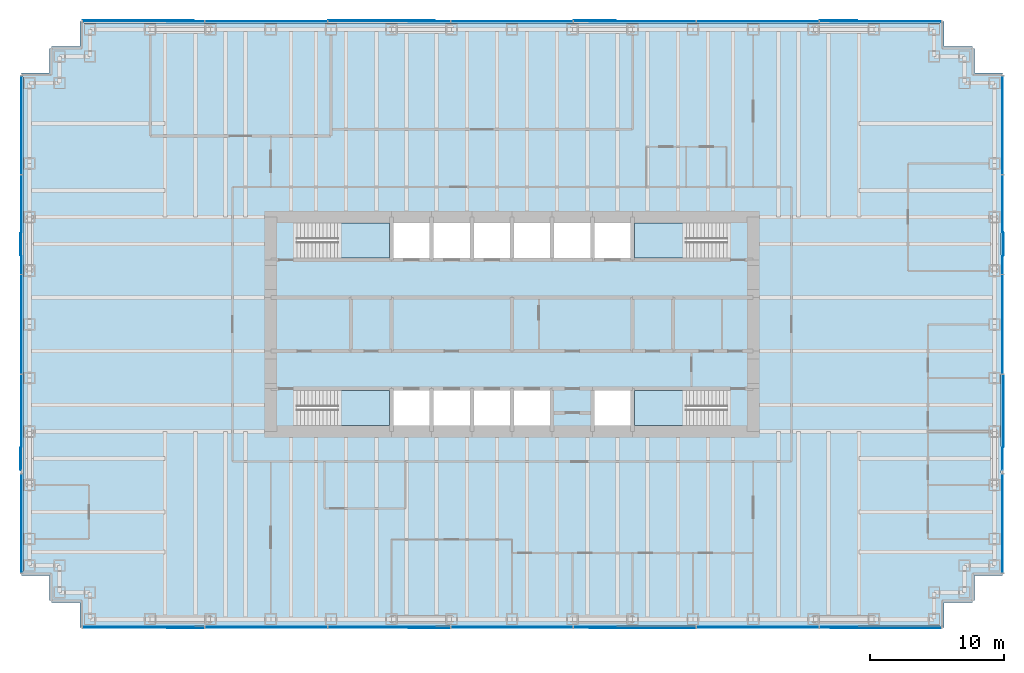
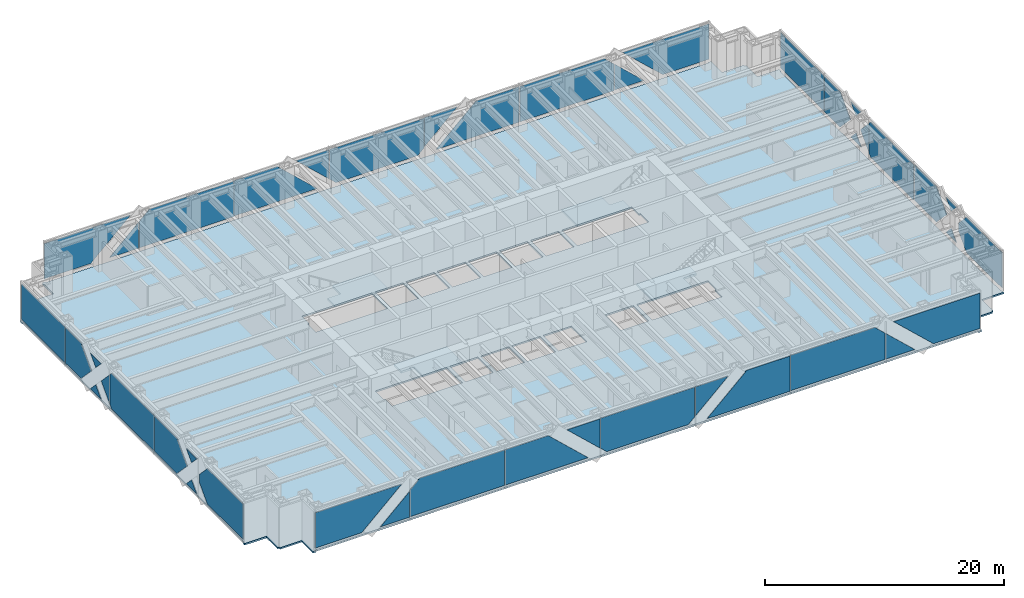
# One storey, part 10 of 17: 42 plates, 5 slabs, 8 elements without a shape of their own.
"""IFC4 building model written with IfcOpenShell, lengths in metres."""

from ifc_helpers import new_model, si_unit, direction, frame, origin, origin_2d, place, context, subcontext, project, spatial, polyline, rectangle, outline, extrude, material, layer, layer_set, type_object, element, aggregate, save


model = new_model("IFC4")

# Units and contexts
model_context = context("Model", 3, precision=1e-05, world=origin(), true_north=direction((0.0, 1.0)))
body_context = subcontext(model_context, "Body", "Model", "MODEL_VIEW")
ifc_project = project(units=[si_unit("LENGTHUNIT", "METRE"), si_unit("AREAUNIT", "SQUARE_METRE"), si_unit("VOLUMEUNIT", "CUBIC_METRE"), si_unit("PLANEANGLEUNIT", "RADIAN"), si_unit("MASSUNIT", "GRAM", prefix="KILO")], contexts=[model_context])

# Site, building, storey
site_placement = place(None, origin())
site = spatial("IfcSite", under=ifc_project, at=site_placement, CompositionType="ELEMENT")
building_placement = place(site_placement, origin())
building = spatial("IfcBuilding", under=site, at=building_placement, Name="Rheinbord Bourse Tower", CompositionType="ELEMENT")
storey_placement = place(building_placement, frame((0.0, 0.0, 129.89990234375)))
storey = spatial("IfcBuildingStorey", under=building, at=storey_placement, Name="L28", CompositionType="ELEMENT", Elevation=129.89990234375)

# Slab
ifc_material_1 = material(Name="Concrete C30/37", Category="concrete")
ifc_layer_1 = layer(ifc_material_1, 0.159912109375)
ifc_layer_set_1 = layer_set([ifc_layer_1], Name="COMPOSITE FLOOR SLAB 160")
slab_type_1 = type_object("IfcSlabType", Name="COMPOSITE FLOOR SLAB 160", PredefinedType="FLOOR", material=ifc_layer_set_1)
slab_1_placement = place(storey_placement, frame((0.0, 0.0, -0.159912109375)))
element("IfcSlab", 1, at=slab_1_placement, inside=storey, type_object=slab_type_1, Name="Floor slab L28", PredefinedType="FLOOR", context=body_context, shape_type="SweptSolid", body=[
    extrude(outline(polyline([(1.64990234375, 3.39990234375), (1.5, 3.39990234375), (1.5, 5.25), (-0.60009765625, 5.25), (-0.60009765625, 5.550048828125), (-0.5, 5.550048828125), (-0.5, 42.449951171875), (-0.60009765625, 42.449951171875), (-0.60009765625, 42.75), (1.5, 42.75), (1.5, 44.60009765625), (1.64990234375, 44.60009765625), (1.64990234375, 44.75), (3.75, 44.75), (3.75, 46.60009765625), (4.050048828125, 46.60009765625), (4.050048828125, 46.5), (67.949951171875, 46.5), (67.949951171875, 46.60009765625), (68.25, 46.60009765625), (68.25, 44.75), (70.35009765625, 44.75), (70.35009765625, 44.60009765625), (70.5, 44.60009765625), (70.5, 42.75), (72.60009765625, 42.75), (72.60009765625, 42.449951171875), (72.5, 42.449951171875), (72.5, 5.550048828125), (72.60009765625, 5.550048828125), (72.60009765625, 5.25), (70.5, 5.25), (70.5, 3.39990234375), (70.35009765625, 3.39990234375), (70.35009765625, 3.25), (68.25, 3.25), (68.25, 1.39990234375), (67.949951171875, 1.39990234375), (67.949951171875, 1.5), (4.050048828125, 1.5), (4.050048828125, 1.39990234375), (3.75, 1.39990234375), (3.75, 3.25), (1.64990234375, 3.25), (1.64990234375, 3.39990234375)]), holes=[polyline([(19.949951171875, 19.050048828125), (26.85009765625, 19.050048828125), (26.85009765625, 16.449951171875), (20.10009765625, 16.449951171875), (20.10009765625, 17.64990234375), (19.949951171875, 17.64990234375), (19.949951171875, 19.050048828125)]), polyline([(26.85009765625, 31.550048828125), (26.85009765625, 28.949951171875), (19.949951171875, 28.949951171875), (19.949951171875, 30.35009765625), (20.10009765625, 30.35009765625), (20.10009765625, 31.550048828125), (26.85009765625, 31.550048828125)]), polyline([(45.14990234375, 16.449951171875), (45.14990234375, 19.050048828125), (52.050048828125, 19.050048828125), (52.050048828125, 17.64990234375), (51.89990234375, 17.64990234375), (51.89990234375, 16.449951171875), (45.14990234375, 16.449951171875)]), polyline([(52.050048828125, 28.949951171875), (45.14990234375, 28.949951171875), (45.14990234375, 31.550048828125), (51.89990234375, 31.550048828125), (51.89990234375, 30.35009765625), (52.050048828125, 30.35009765625), (52.050048828125, 28.949951171875)]), polyline([(27.14990234375, 16.449951171875), (27.14990234375, 19.050048828125), (29.85009765625, 19.050048828125), (29.85009765625, 16.449951171875), (27.14990234375, 16.449951171875)]), polyline([(27.14990234375, 28.949951171875), (27.14990234375, 31.550048828125), (29.85009765625, 31.550048828125), (29.85009765625, 28.949951171875), (27.14990234375, 28.949951171875)]), polyline([(30.14990234375, 16.449951171875), (30.14990234375, 19.050048828125), (32.85009765625, 19.050048828125), (32.85009765625, 16.449951171875), (30.14990234375, 16.449951171875)]), polyline([(30.14990234375, 28.949951171875), (30.14990234375, 31.550048828125), (32.85009765625, 31.550048828125), (32.85009765625, 28.949951171875), (30.14990234375, 28.949951171875)]), polyline([(33.14990234375, 16.449951171875), (33.14990234375, 19.050048828125), (35.85009765625, 19.050048828125), (35.85009765625, 16.449951171875), (33.14990234375, 16.449951171875)]), polyline([(33.14990234375, 28.949951171875), (33.14990234375, 31.550048828125), (35.85009765625, 31.550048828125), (35.85009765625, 28.949951171875), (33.14990234375, 28.949951171875)]), polyline([(36.14990234375, 16.449951171875), (36.14990234375, 19.050048828125), (38.85009765625, 19.050048828125), (38.85009765625, 16.449951171875), (36.14990234375, 16.449951171875)]), polyline([(36.14990234375, 28.949951171875), (36.14990234375, 31.550048828125), (38.85009765625, 31.550048828125), (38.85009765625, 28.949951171875), (36.14990234375, 28.949951171875)]), polyline([(39.14990234375, 28.949951171875), (39.14990234375, 31.550048828125), (41.85009765625, 31.550048828125), (41.85009765625, 28.949951171875), (39.14990234375, 28.949951171875)]), polyline([(42.14990234375, 16.449951171875), (42.14990234375, 19.050048828125), (44.85009765625, 19.050048828125), (44.85009765625, 16.449951171875), (42.14990234375, 16.449951171875)]), polyline([(42.14990234375, 28.949951171875), (42.14990234375, 31.550048828125), (44.85009765625, 31.550048828125), (44.85009765625, 28.949951171875), (42.14990234375, 28.949951171875)])]), origin(), (0.0, 0.0, 1.0), 0.159912109375),
])

# Curtain wall, plates
ifc_material_2 = material(Name="Dark glass and black aluminium", Category="aluminium")
curtain_wall_type = type_object("IfcCurtainWallType", Name="CW2 DARK GLASS CURTAIN WALL", PredefinedType="USERDEFINED", material=ifc_material_2)
curtain_wall_1_placement = place(storey_placement, origin())
curtain_wall_1 = element("IfcCurtainWall", 2, at=curtain_wall_1_placement, inside=storey, type_object=curtain_wall_type, Name="Curtain wall CW2 S L28", ObjectType="UNITISED CURTAIN WALL", PredefinedType="USERDEFINED")
ifc_material_3 = material(Name="Dark tinted triple insulating glass", Category="glass")
ifc_layer_2 = layer(ifc_material_3, 0.050048828125)
ifc_layer_set_2 = layer_set([ifc_layer_2], Name="CW2 DARK GLASS PANEL")
plate_type = type_object("IfcPlateType", Name="CW2 DARK GLASS PANEL", PredefinedType="CURTAIN_PANEL", material=ifc_layer_set_2)
plate_1_placement = place(storey_placement, frame((3.969970703125, 1.375, 0.300048828125), z_axis=(0.0, 1.0, 0.0), x_axis=(0.0, 0.0, 1.0)))
plate_1 = element("IfcPlate", 3, at=plate_1_placement, type_object=plate_type, Name="CW2 glass facet 1", PredefinedType="CURTAIN_PANEL", context=body_context, shape_type="SweptSolid", body=[
    extrude(outline(polyline([(0.0, 0.0), (3.60009765625, 0.0), (3.60009765625, 8.322021484375), (0.0, 4.465087890625), (0.0, 0.0)])), origin(), (0.0, 0.0, 1.0), 0.050048828125),
])
plate_2_placement = place(storey_placement, frame((13.035888671875, 1.31982421875, 0.300048828125), z_axis=(0.0, 1.0, 0.0), x_axis=(-1.0, 0.0, 0.0)))
plate_2 = element("IfcPlate", 4, at=plate_2_placement, type_object=plate_type, Name="CW2 glass facet 2", PredefinedType="CURTAIN_PANEL", context=body_context, shape_type="SweptSolid", body=[
    extrude(outline(polyline([(0.0, 0.0), (2.827880859375, 0.0), (0.0, 2.64013671875), (0.0, 0.0)])), origin(), (0.0, 0.0, 1.0), 0.050048828125),
])
plate_3_placement = place(storey_placement, frame((22.2080078125, 1.375, 3.900146484375), z_axis=(0.0, 1.0, 0.0), x_axis=(0.0, 0.0, -1.0)))
plate_3 = element("IfcPlate", 5, at=plate_3_placement, type_object=plate_type, Name="CW2 glass facet 1", PredefinedType="CURTAIN_PANEL", context=body_context, shape_type="SweptSolid", body=[
    extrude(outline(polyline([(0.0, 0.0), (3.60009765625, 0.0), (3.60009765625, 9.10205078125), (0.89501953125, 9.10205078125), (0.0, 8.14306640625), (0.0, 0.0)])), origin(), (0.0, 0.0, 1.0), 0.050048828125),
])
plate_4_placement = place(storey_placement, frame((22.278076171875, 1.375, 0.300048828125), z_axis=(0.0, 1.0, 0.0), x_axis=(0.0, 0.0, 1.0)))
plate_4 = element("IfcPlate", 6, at=plate_4_placement, type_object=plate_type, Name="CW2 glass facet 1", PredefinedType="CURTAIN_PANEL", context=body_context, shape_type="SweptSolid", body=[
    extrude(outline(polyline([(0.0, 0.0), (3.60009765625, 0.0), (3.60009765625, 4.156982421875), (0.0, 8.013916015625), (0.0, 0.0)])), origin(), (0.0, 0.0, 1.0), 0.050048828125),
])
plate_5_placement = place(storey_placement, frame((31.37890625, 1.31982421875, 3.900146484375), z_axis=(0.0, 1.0, 0.0), x_axis=(0.0, 0.0, -1.0)))
plate_5 = element("IfcPlate", 7, at=plate_5_placement, type_object=plate_type, Name="CW2 glass facet 2", PredefinedType="CURTAIN_PANEL", context=body_context, shape_type="SweptSolid", body=[
    extrude(outline(polyline([(0.0, 0.0), (2.9599609375, 0.0), (0.0, 3.1708984375), (0.0, 0.0)])), origin(), (0.0, 0.0, 1.0), 0.050048828125),
])
plate_6_placement = place(storey_placement, frame((32.06494140625, 1.375, 0.300048828125), z_axis=(0.0, 1.0, 0.0), x_axis=(-0.731026361921, 0.0, 0.682349220104)))
plate_6 = element("IfcPlate", 8, at=plate_6_placement, type_object=plate_type, Name="CW2 glass facet 1", PredefinedType="CURTAIN_PANEL", context=body_context, shape_type="SweptSolid", body=[
    extrude(outline(polyline([(0.0, 0.0), (0.842529296875, 0.0), (2.90673828125, 2.21142578125), (-3.7470703125, 8.422119140625), (-5.811279296875, 6.210693359375), (-5.753173828125, 5.3701171875), (0.0, 0.0)])), origin(), (0.0, 0.0, 1.0), 0.050048828125),
])
plate_7_placement = place(storey_placement, frame((40.62109375, 1.375, 3.900146484375), z_axis=(0.0, 1.0, 0.0), x_axis=(1.0, 0.0, 0.0)))
plate_7 = element("IfcPlate", 9, at=plate_7_placement, type_object=plate_type, Name="CW2 glass facet 1", PredefinedType="CURTAIN_PANEL", context=body_context, shape_type="SweptSolid", body=[
    extrude(outline(polyline([(0.0, 0.0), (3.1708984375, 0.0), (0.0, 2.9599609375), (0.0, 0.0)])), origin(), (0.0, 0.0, 1.0), 0.050048828125),
])
plate_8_placement = place(storey_placement, frame((49.721923828125, 1.31982421875, 3.900146484375), z_axis=(0.0, 1.0, 0.0), x_axis=(0.0, 0.0, -1.0)))
plate_8 = element("IfcPlate", 10, at=plate_8_placement, type_object=plate_type, Name="CW2 glass facet 2", PredefinedType="CURTAIN_PANEL", context=body_context, shape_type="SweptSolid", body=[
    extrude(outline(polyline([(0.0, 0.0), (3.60009765625, 0.0), (3.60009765625, 8.013916015625), (0.0, 4.156982421875), (0.0, 0.0)])), origin(), (0.0, 0.0, 1.0), 0.050048828125),
])
plate_9_placement = place(storey_placement, frame((58.89404296875, 1.375, 0.300048828125), z_axis=(0.0, 1.0, 0.0), x_axis=(-1.0, 0.0, 0.0)))
plate_9 = element("IfcPlate", 11, at=plate_9_placement, type_object=plate_type, Name="CW2 glass facet 1", PredefinedType="CURTAIN_PANEL", context=body_context, shape_type="SweptSolid", body=[
    extrude(outline(polyline([(0.0, 0.0), (9.10205078125, 0.0), (9.10205078125, 3.60009765625), (0.958984375, 3.60009765625), (0.0, 2.705078125), (0.0, 0.0)])), origin(), (0.0, 0.0, 1.0), 0.050048828125),
])
plate_10_placement = place(storey_placement, frame((58.964111328125, 1.375, 0.300048828125), z_axis=(0.0, 1.0, 0.0), x_axis=(0.0, 0.0, 1.0)))
plate_10 = element("IfcPlate", 12, at=plate_10_placement, type_object=plate_type, Name="CW2 glass facet 1", PredefinedType="CURTAIN_PANEL", context=body_context, shape_type="SweptSolid", body=[
    extrude(outline(polyline([(0.0, 0.0), (2.64013671875, 0.0), (0.0, 2.827880859375), (0.0, 0.0)])), origin(), (0.0, 0.0, 1.0), 0.050048828125),
])
plate_11_placement = place(storey_placement, frame((68.030029296875, 1.31982421875, 3.900146484375), z_axis=(0.0, 1.0, 0.0), x_axis=(0.0, 0.0, -1.0)))
plate_11 = element("IfcPlate", 13, at=plate_11_placement, type_object=plate_type, Name="CW2 glass facet 2", PredefinedType="CURTAIN_PANEL", context=body_context, shape_type="SweptSolid", body=[
    extrude(outline(polyline([(0.0, 0.0), (3.60009765625, 0.0), (3.60009765625, 4.465087890625), (0.0, 8.322021484375), (0.0, 0.0)])), origin(), (0.0, 0.0, 1.0), 0.050048828125),
])
aggregate(curtain_wall_1, [plate_1, plate_2, plate_3, plate_4, plate_5, plate_6, plate_7, plate_8, plate_9, plate_10, plate_11])

curtain_wall_2_placement = place(storey_placement, origin())
curtain_wall_2 = element("IfcCurtainWall", 14, at=curtain_wall_2_placement, inside=storey, type_object=curtain_wall_type, Name="Curtain wall CW2 E L28", ObjectType="UNITISED CURTAIN WALL", PredefinedType="USERDEFINED")
plate_12_placement = place(storey_placement, frame((72.60009765625, 38.862548828125, 0.300048828125), z_axis=(0.0, 0.0, 1.0), x_axis=(0.0, 1.0, 0.0)))
plate_12 = element("IfcPlate", 15, at=plate_12_placement, type_object=plate_type, Name="CW2 panel 5.1", PredefinedType="CURTAIN_PANEL", context=body_context, shape_type="SweptSolid", body=[
    extrude(rectangle(XDim=7.3349609375, YDim=0.050048828125, at=origin_2d()), origin(), (0.0, 0.0, 1.0), 3.60009765625),
])
plate_13_placement = place(storey_placement, frame((72.625, 5.469970703125, 0.300048828125), z_axis=(-1.0, 0.0, 0.0), x_axis=(0.0, 0.0, 1.0)))
plate_13 = element("IfcPlate", 16, at=plate_13_placement, type_object=plate_type, Name="CW2 glass facet 1", PredefinedType="CURTAIN_PANEL", context=body_context, shape_type="SweptSolid", body=[
    extrude(outline(polyline([(0.0, 0.0), (3.60009765625, 0.0), (3.60009765625, 5.97998046875), (2.177001953125, 7.3349609375), (1.423095703125, 7.3349609375), (0.0, 5.97998046875), (0.0, 0.0)])), origin(), (0.0, 0.0, 1.0), 0.050048828125),
])
plate_14_placement = place(storey_placement, frame((72.625, 13.12109375, 0.300048828125), z_axis=(-1.0, 0.0, 0.0), x_axis=(0.0, 0.689559508121, 0.724229027835)))
plate_14 = element("IfcPlate", 17, at=plate_14_placement, type_object=plate_type, Name="CW2 glass facet 2", PredefinedType="CURTAIN_PANEL", context=body_context, shape_type="SweptSolid", body=[
    extrude(outline(polyline([(0.0, 0.0), (1.274658203125, 0.0), (1.212158203125, 1.27294921875), (0.0, 0.0)])), origin(), (0.0, 0.0, 1.0), 0.050048828125),
])
plate_15_placement = place(storey_placement, frame((72.625, 14.87890625, 3.900146484375), z_axis=(-1.0, 0.0, 0.0), x_axis=(0.0, -0.689559508121, -0.724229027835)))
plate_15 = element("IfcPlate", 18, at=plate_15_placement, type_object=plate_type, Name="CW2 glass facet 3", PredefinedType="CURTAIN_PANEL", context=body_context, shape_type="SweptSolid", body=[
    extrude(outline(polyline([(0.0, 0.0), (1.274658203125, 0.0), (1.212158203125, 1.27294921875), (0.0, 0.0)])), origin(), (0.0, 0.0, 1.0), 0.050048828125),
])
plate_16_placement = place(storey_placement, frame((72.68017578125, 20.2451171875, 3.900146484375), z_axis=(-1.0, 0.0, 0.0), x_axis=(0.0, 0.0, -1.0)))
plate_16 = element("IfcPlate", 19, at=plate_16_placement, type_object=plate_type, Name="CW2 glass facet 4", PredefinedType="CURTAIN_PANEL", context=body_context, shape_type="SweptSolid", body=[
    extrude(outline(polyline([(0.0, 0.0), (3.60009765625, 0.0), (3.60009765625, 3.695068359375), (1.800048828125, 5.41015625), (0.0, 3.695068359375), (0.0, 0.0)])), origin(), (0.0, 0.0, 1.0), 0.050048828125),
])
plate_17_placement = place(storey_placement, frame((72.625, 20.31494140625, 0.300048828125), z_axis=(-1.0, 0.0, 0.0), x_axis=(0.0, 0.0, 1.0)))
plate_17 = element("IfcPlate", 20, at=plate_17_placement, type_object=plate_type, Name="CW2 glass facet 1", PredefinedType="CURTAIN_PANEL", context=body_context, shape_type="SweptSolid", body=[
    extrude(outline(polyline([(0.0, 0.0), (3.60009765625, 0.0), (3.60009765625, 7.135009765625), (3.35302734375, 7.3701171875), (0.2470703125, 7.3701171875), (0.0, 7.135009765625), (0.0, 0.0)])), origin(), (0.0, 0.0, 1.0), 0.050048828125),
])
plate_18_placement = place(storey_placement, frame((72.625, 27.7548828125, 3.580078125), z_axis=(-1.0, 0.0, 0.0), x_axis=(0.0, 0.689822155923, -0.723978862397)))
plate_18 = element("IfcPlate", 21, at=plate_18_placement, type_object=plate_type, Name="CW2 glass facet 1", PredefinedType="CURTAIN_PANEL", context=body_context, shape_type="SweptSolid", body=[
    extrude(outline(polyline([(0.0, 0.0), (2.044189453125, 0.0), (2.14306640625, 2.041748046875), (0.0, 0.0)])), origin(), (0.0, 0.0, 1.0), 0.050048828125),
])
plate_19_placement = place(storey_placement, frame((72.68017578125, 29.12109375, 0.300048828125), z_axis=(-1.0, 0.0, 0.0), x_axis=(0.0, 0.689559508121, 0.724229027835)))
plate_19 = element("IfcPlate", 22, at=plate_19_placement, type_object=plate_type, Name="CW2 glass facet 2", PredefinedType="CURTAIN_PANEL", context=body_context, shape_type="SweptSolid", body=[
    extrude(outline(polyline([(0.0, 0.0), (1.274658203125, 0.0), (1.212158203125, 1.27294921875), (0.0, 0.0)])), origin(), (0.0, 0.0, 1.0), 0.050048828125),
])
plate_20_placement = place(storey_placement, frame((72.68017578125, 30.87890625, 3.900146484375), z_axis=(-1.0, 0.0, 0.0), x_axis=(0.0, -0.689559508121, -0.724229027835)))
plate_20 = element("IfcPlate", 23, at=plate_20_placement, type_object=plate_type, Name="CW2 glass facet 3", PredefinedType="CURTAIN_PANEL", context=body_context, shape_type="SweptSolid", body=[
    extrude(outline(polyline([(0.0, 0.0), (1.274658203125, 0.0), (1.212158203125, 1.27294921875), (0.0, 0.0)])), origin(), (0.0, 0.0, 1.0), 0.050048828125),
])
plate_21_placement = place(storey_placement, frame((72.625, 35.125, 3.900146484375), z_axis=(-1.0, 0.0, 0.0), x_axis=(0.0, 0.0, -1.0)))
plate_21 = element("IfcPlate", 24, at=plate_21_placement, type_object=plate_type, Name="CW2 glass facet 4", PredefinedType="CURTAIN_PANEL", context=body_context, shape_type="SweptSolid", body=[
    extrude(outline(polyline([(0.0, 0.0), (3.60009765625, 0.0), (3.60009765625, 2.574951171875), (1.800048828125, 4.2900390625), (0.0, 2.574951171875), (0.0, 0.0)])), origin(), (0.0, 0.0, 1.0), 0.050048828125),
])
aggregate(curtain_wall_2, [plate_12, plate_13, plate_14, plate_15, plate_16, plate_17, plate_18, plate_19, plate_20, plate_21])

curtain_wall_3_placement = place(storey_placement, origin())
curtain_wall_3 = element("IfcCurtainWall", 25, at=curtain_wall_3_placement, inside=storey, type_object=curtain_wall_type, Name="Curtain wall CW2 N L28", ObjectType="UNITISED CURTAIN WALL", PredefinedType="USERDEFINED")
plate_22_placement = place(storey_placement, frame((68.030029296875, 46.625, 0.300048828125), z_axis=(0.0, -1.0, 0.0), x_axis=(0.0, 0.0, 1.0)))
plate_22 = element("IfcPlate", 26, at=plate_22_placement, type_object=plate_type, Name="CW2 glass facet 1", PredefinedType="CURTAIN_PANEL", context=body_context, shape_type="SweptSolid", body=[
    extrude(outline(polyline([(0.0, 0.0), (3.60009765625, 0.0), (3.60009765625, 8.322021484375), (0.0, 4.465087890625), (0.0, 0.0)])), origin(), (0.0, 0.0, 1.0), 0.050048828125),
])
plate_23_placement = place(storey_placement, frame((58.964111328125, 46.68017578125, 0.300048828125), z_axis=(0.0, -1.0, 0.0), x_axis=(1.0, 0.0, 0.0)))
plate_23 = element("IfcPlate", 27, at=plate_23_placement, type_object=plate_type, Name="CW2 glass facet 2", PredefinedType="CURTAIN_PANEL", context=body_context, shape_type="SweptSolid", body=[
    extrude(outline(polyline([(0.0, 0.0), (2.827880859375, 0.0), (0.0, 2.64013671875), (0.0, 0.0)])), origin(), (0.0, 0.0, 1.0), 0.050048828125),
])
plate_24_placement = place(storey_placement, frame((49.7919921875, 46.625, 3.900146484375), z_axis=(0.0, -1.0, 0.0), x_axis=(0.0, 0.0, -1.0)))
plate_24 = element("IfcPlate", 28, at=plate_24_placement, type_object=plate_type, Name="CW2 glass facet 1", PredefinedType="CURTAIN_PANEL", context=body_context, shape_type="SweptSolid", body=[
    extrude(outline(polyline([(0.0, 0.0), (3.60009765625, 0.0), (3.60009765625, 9.10205078125), (0.89501953125, 9.10205078125), (0.0, 8.14306640625), (0.0, 0.0)])), origin(), (0.0, 0.0, 1.0), 0.050048828125),
])
plate_25_placement = place(storey_placement, frame((49.721923828125, 46.625, 0.300048828125), z_axis=(0.0, -1.0, 0.0), x_axis=(0.0, 0.0, 1.0)))
plate_25 = element("IfcPlate", 29, at=plate_25_placement, type_object=plate_type, Name="CW2 glass facet 1", PredefinedType="CURTAIN_PANEL", context=body_context, shape_type="SweptSolid", body=[
    extrude(outline(polyline([(0.0, 0.0), (3.60009765625, 0.0), (3.60009765625, 4.156982421875), (0.0, 8.013916015625), (0.0, 0.0)])), origin(), (0.0, 0.0, 1.0), 0.050048828125),
])
plate_26_placement = place(storey_placement, frame((40.62109375, 46.68017578125, 3.900146484375), z_axis=(0.0, -1.0, 0.0), x_axis=(0.0, 0.0, -1.0)))
plate_26 = element("IfcPlate", 30, at=plate_26_placement, type_object=plate_type, Name="CW2 glass facet 2", PredefinedType="CURTAIN_PANEL", context=body_context, shape_type="SweptSolid", body=[
    extrude(outline(polyline([(0.0, 0.0), (2.9599609375, 0.0), (0.0, 3.1708984375), (0.0, 0.0)])), origin(), (0.0, 0.0, 1.0), 0.050048828125),
])
plate_27_placement = place(storey_placement, frame((39.93505859375, 46.625, 0.300048828125), z_axis=(0.0, -1.0, 0.0), x_axis=(0.731026361921, 0.0, 0.682349220104)))
plate_27 = element("IfcPlate", 31, at=plate_27_placement, type_object=plate_type, Name="CW2 glass facet 1", PredefinedType="CURTAIN_PANEL", context=body_context, shape_type="SweptSolid", body=[
    extrude(outline(polyline([(0.0, 0.0), (0.842529296875, 0.0), (2.90673828125, 2.21142578125), (-3.7470703125, 8.422119140625), (-5.811279296875, 6.210693359375), (-5.753173828125, 5.3701171875), (0.0, 0.0)])), origin(), (0.0, 0.0, 1.0), 0.050048828125),
])
plate_28_placement = place(storey_placement, frame((31.37890625, 46.625, 3.900146484375), z_axis=(0.0, -1.0, 0.0), x_axis=(-1.0, 0.0, 0.0)))
plate_28 = element("IfcPlate", 32, at=plate_28_placement, type_object=plate_type, Name="CW2 glass facet 1", PredefinedType="CURTAIN_PANEL", context=body_context, shape_type="SweptSolid", body=[
    extrude(outline(polyline([(0.0, 0.0), (3.1708984375, 0.0), (0.0, 2.9599609375), (0.0, 0.0)])), origin(), (0.0, 0.0, 1.0), 0.050048828125),
])
plate_29_placement = place(storey_placement, frame((22.278076171875, 46.68017578125, 3.900146484375), z_axis=(0.0, -1.0, 0.0), x_axis=(0.0, 0.0, -1.0)))
plate_29 = element("IfcPlate", 33, at=plate_29_placement, type_object=plate_type, Name="CW2 glass facet 2", PredefinedType="CURTAIN_PANEL", context=body_context, shape_type="SweptSolid", body=[
    extrude(outline(polyline([(0.0, 0.0), (3.60009765625, 0.0), (3.60009765625, 8.013916015625), (0.0, 4.156982421875), (0.0, 0.0)])), origin(), (0.0, 0.0, 1.0), 0.050048828125),
])
plate_30_placement = place(storey_placement, frame((13.10595703125, 46.625, 0.300048828125), z_axis=(0.0, -1.0, 0.0), x_axis=(1.0, 0.0, 0.0)))
plate_30 = element("IfcPlate", 34, at=plate_30_placement, type_object=plate_type, Name="CW2 glass facet 1", PredefinedType="CURTAIN_PANEL", context=body_context, shape_type="SweptSolid", body=[
    extrude(outline(polyline([(0.0, 0.0), (9.10205078125, 0.0), (9.10205078125, 3.60009765625), (0.958984375, 3.60009765625), (0.0, 2.705078125), (0.0, 0.0)])), origin(), (0.0, 0.0, 1.0), 0.050048828125),
])
plate_31_placement = place(storey_placement, frame((13.035888671875, 46.625, 0.300048828125), z_axis=(0.0, -1.0, 0.0), x_axis=(0.0, 0.0, 1.0)))
plate_31 = element("IfcPlate", 35, at=plate_31_placement, type_object=plate_type, Name="CW2 glass facet 1", PredefinedType="CURTAIN_PANEL", context=body_context, shape_type="SweptSolid", body=[
    extrude(outline(polyline([(0.0, 0.0), (2.64013671875, 0.0), (0.0, 2.827880859375), (0.0, 0.0)])), origin(), (0.0, 0.0, 1.0), 0.050048828125),
])
plate_32_placement = place(storey_placement, frame((3.969970703125, 46.68017578125, 3.900146484375), z_axis=(0.0, -1.0, 0.0), x_axis=(0.0, 0.0, -1.0)))
plate_32 = element("IfcPlate", 36, at=plate_32_placement, type_object=plate_type, Name="CW2 glass facet 2", PredefinedType="CURTAIN_PANEL", context=body_context, shape_type="SweptSolid", body=[
    extrude(outline(polyline([(0.0, 0.0), (3.60009765625, 0.0), (3.60009765625, 4.465087890625), (0.0, 8.322021484375), (0.0, 0.0)])), origin(), (0.0, 0.0, 1.0), 0.050048828125),
])
aggregate(curtain_wall_3, [plate_22, plate_23, plate_24, plate_25, plate_26, plate_27, plate_28, plate_29, plate_30, plate_31, plate_32])

curtain_wall_4_placement = place(storey_placement, origin())
curtain_wall_4 = element("IfcCurtainWall", 37, at=curtain_wall_4_placement, inside=storey, type_object=curtain_wall_type, Name="Curtain wall CW2 W L28", ObjectType="UNITISED CURTAIN WALL", PredefinedType="USERDEFINED")
plate_33_placement = place(storey_placement, frame((-0.60009765625, 38.862548828125, 0.300048828125), z_axis=(0.0, 0.0, 1.0), x_axis=(0.0, -1.0, 0.0)))
plate_33 = element("IfcPlate", 38, at=plate_33_placement, type_object=plate_type, Name="CW2 panel 1.1", PredefinedType="CURTAIN_PANEL", context=body_context, shape_type="SweptSolid", body=[
    extrude(rectangle(XDim=7.3349609375, YDim=0.050048828125, at=origin_2d()), origin(), (0.0, 0.0, 1.0), 3.60009765625),
])
plate_34_placement = place(storey_placement, frame((-0.625, 35.125, 0.300048828125), z_axis=(1.0, 0.0, 0.0), x_axis=(0.0, 0.0, 1.0)))
plate_34 = element("IfcPlate", 39, at=plate_34_placement, type_object=plate_type, Name="CW2 glass facet 1", PredefinedType="CURTAIN_PANEL", context=body_context, shape_type="SweptSolid", body=[
    extrude(outline(polyline([(0.0, 0.0), (3.60009765625, 0.0), (3.60009765625, 2.574951171875), (1.800048828125, 4.2900390625), (0.0, 2.574951171875), (0.0, 0.0)])), origin(), (0.0, 0.0, 1.0), 0.050048828125),
])
plate_35_placement = place(storey_placement, frame((-0.68017578125, 30.87890625, 0.300048828125), z_axis=(1.0, 0.0, 0.0), x_axis=(0.0, -0.689559508121, 0.724229027835)))
plate_35 = element("IfcPlate", 40, at=plate_35_placement, type_object=plate_type, Name="CW2 glass facet 2", PredefinedType="CURTAIN_PANEL", context=body_context, shape_type="SweptSolid", body=[
    extrude(outline(polyline([(0.0, 0.0), (1.274658203125, 0.0), (1.212158203125, 1.27294921875), (0.0, 0.0)])), origin(), (0.0, 0.0, 1.0), 0.050048828125),
])
plate_36_placement = place(storey_placement, frame((-0.68017578125, 29.12109375, 3.900146484375), z_axis=(1.0, 0.0, 0.0), x_axis=(0.0, 0.689559508121, -0.724229027835)))
plate_36 = element("IfcPlate", 41, at=plate_36_placement, type_object=plate_type, Name="CW2 glass facet 3", PredefinedType="CURTAIN_PANEL", context=body_context, shape_type="SweptSolid", body=[
    extrude(outline(polyline([(0.0, 0.0), (1.274658203125, 0.0), (1.212158203125, 1.27294921875), (0.0, 0.0)])), origin(), (0.0, 0.0, 1.0), 0.050048828125),
])
plate_37_placement = place(storey_placement, frame((-0.625, 27.7548828125, 0.6201171875), z_axis=(1.0, 0.0, 0.0), x_axis=(0.0, 0.689822155923, 0.723978862397)))
plate_37 = element("IfcPlate", 42, at=plate_37_placement, type_object=plate_type, Name="CW2 glass facet 4", PredefinedType="CURTAIN_PANEL", context=body_context, shape_type="SweptSolid", body=[
    extrude(outline(polyline([(0.0, 0.0), (2.044189453125, 0.0), (2.14306640625, 2.041748046875), (0.0, 0.0)])), origin(), (0.0, 0.0, 1.0), 0.050048828125),
])
plate_38_placement = place(storey_placement, frame((-0.625, 20.31494140625, 3.900146484375), z_axis=(1.0, 0.0, 0.0), x_axis=(0.0, 0.0, -1.0)))
plate_38 = element("IfcPlate", 43, at=plate_38_placement, type_object=plate_type, Name="CW2 glass facet 1", PredefinedType="CURTAIN_PANEL", context=body_context, shape_type="SweptSolid", body=[
    extrude(outline(polyline([(0.0, 0.0), (3.60009765625, 0.0), (3.60009765625, 7.135009765625), (3.35302734375, 7.3701171875), (0.2470703125, 7.3701171875), (0.0, 7.135009765625), (0.0, 0.0)])), origin(), (0.0, 0.0, 1.0), 0.050048828125),
])
plate_39_placement = place(storey_placement, frame((-0.625, 20.2451171875, 0.300048828125), z_axis=(1.0, 0.0, 0.0), x_axis=(0.0, 0.0, 1.0)))
plate_39 = element("IfcPlate", 44, at=plate_39_placement, type_object=plate_type, Name="CW2 glass facet 1", PredefinedType="CURTAIN_PANEL", context=body_context, shape_type="SweptSolid", body=[
    extrude(outline(polyline([(0.0, 0.0), (3.60009765625, 0.0), (3.60009765625, 3.695068359375), (1.800048828125, 5.41015625), (0.0, 3.695068359375), (0.0, 0.0)])), origin(), (0.0, 0.0, 1.0), 0.050048828125),
])
plate_40_placement = place(storey_placement, frame((-0.68017578125, 14.87890625, 0.300048828125), z_axis=(1.0, 0.0, 0.0), x_axis=(0.0, -0.689559508121, 0.724229027835)))
plate_40 = element("IfcPlate", 45, at=plate_40_placement, type_object=plate_type, Name="CW2 glass facet 2", PredefinedType="CURTAIN_PANEL", context=body_context, shape_type="SweptSolid", body=[
    extrude(outline(polyline([(0.0, 0.0), (1.274658203125, 0.0), (1.212158203125, 1.27294921875), (0.0, 0.0)])), origin(), (0.0, 0.0, 1.0), 0.050048828125),
])
plate_41_placement = place(storey_placement, frame((-0.68017578125, 13.12109375, 3.900146484375), z_axis=(1.0, 0.0, 0.0), x_axis=(0.0, 0.689559508121, -0.724229027835)))
plate_41 = element("IfcPlate", 46, at=plate_41_placement, type_object=plate_type, Name="CW2 glass facet 3", PredefinedType="CURTAIN_PANEL", context=body_context, shape_type="SweptSolid", body=[
    extrude(outline(polyline([(0.0, 0.0), (1.274658203125, 0.0), (1.212158203125, 1.27294921875), (0.0, 0.0)])), origin(), (0.0, 0.0, 1.0), 0.050048828125),
])
plate_42_placement = place(storey_placement, frame((-0.625, 5.469970703125, 3.900146484375), z_axis=(1.0, 0.0, 0.0), x_axis=(0.0, 0.0, -1.0)))
plate_42 = element("IfcPlate", 47, at=plate_42_placement, type_object=plate_type, Name="CW2 glass facet 1", PredefinedType="CURTAIN_PANEL", context=body_context, shape_type="SweptSolid", body=[
    extrude(outline(polyline([(0.0, 0.0), (3.60009765625, 0.0), (3.60009765625, 5.97998046875), (2.177001953125, 7.3349609375), (1.423095703125, 7.3349609375), (0.0, 5.97998046875), (0.0, 0.0)])), origin(), (0.0, 0.0, 1.0), 0.050048828125),
])
aggregate(curtain_wall_4, [plate_33, plate_34, plate_35, plate_36, plate_37, plate_38, plate_39, plate_40, plate_41, plate_42])

# Stair, slab
ifc_material_4 = material(Name="Concrete C30/37", Category="concrete")
stair_type = type_object("IfcStairType", Name="CORE STAIR HALF TURN 4200", PredefinedType="HALF_TURN_STAIR", material=ifc_material_4)
stair_1_placement = place(storey_placement, origin())
stair_1 = element("IfcStair", 48, at=stair_1_placement, inside=storey, type_object=stair_type, Name="Stair ST1 L28, type CS6", PredefinedType="HALF_TURN_STAIR")
ifc_material_5 = material(Name="Concrete C30/37", Category="concrete")
ifc_layer_3 = layer(ifc_material_5, 0.199951171875)
ifc_layer_set_3 = layer_set([ifc_layer_3], Name="STAIR LANDING 200")
slab_type_2 = type_object("IfcSlabType", Name="STAIR LANDING 200", PredefinedType="LANDING", material=ifc_layer_set_3)
slab_2_placement = place(storey_placement, frame((0.0, 0.0, 1.900146484375)))
slab_2 = element("IfcSlab", 49, at=slab_2_placement, type_object=slab_type_2, Name="Half landing ST1 L28", PredefinedType="LANDING", context=body_context, shape_type="SweptSolid", body=[
    extrude(outline(polyline([(23.030029296875, 16.449951171875), (26.85009765625, 16.449951171875), (26.85009765625, 19.050048828125), (21.748046875, 19.050048828125), (21.748046875, 17.85009765625), (23.030029296875, 17.85009765625), (23.030029296875, 16.449951171875)])), origin(), (0.0, 0.0, 1.0), 0.199951171875),
])
aggregate(stair_1, [slab_2])

stair_2_placement = place(storey_placement, origin())
stair_2 = element("IfcStair", 50, at=stair_2_placement, inside=storey, type_object=stair_type, Name="Stair ST2 L28, type CS6", PredefinedType="HALF_TURN_STAIR")
slab_3_placement = place(storey_placement, frame((0.0, 0.0, 1.900146484375)))
slab_3 = element("IfcSlab", 51, at=slab_3_placement, type_object=slab_type_2, Name="Half landing ST2 L28", PredefinedType="LANDING", context=body_context, shape_type="SweptSolid", body=[
    extrude(outline(polyline([(21.748046875, 28.949951171875), (26.85009765625, 28.949951171875), (26.85009765625, 31.550048828125), (23.030029296875, 31.550048828125), (23.030029296875, 30.14990234375), (21.748046875, 30.14990234375), (21.748046875, 28.949951171875)])), origin(), (0.0, 0.0, 1.0), 0.199951171875),
])
aggregate(stair_2, [slab_3])

stair_3_placement = place(storey_placement, origin())
stair_3 = element("IfcStair", 52, at=stair_3_placement, inside=storey, type_object=stair_type, Name="Stair ST3 L28, type CS6", PredefinedType="HALF_TURN_STAIR")
slab_4_placement = place(storey_placement, frame((0.0, 0.0, 1.900146484375)))
slab_4 = element("IfcSlab", 53, at=slab_4_placement, type_object=slab_type_2, Name="Half landing ST3 L28", PredefinedType="LANDING", context=body_context, shape_type="SweptSolid", body=[
    extrude(outline(polyline([(45.14990234375, 16.449951171875), (48.969970703125, 16.449951171875), (48.969970703125, 17.85009765625), (50.251953125, 17.85009765625), (50.251953125, 19.050048828125), (45.14990234375, 19.050048828125), (45.14990234375, 16.449951171875)])), origin(), (0.0, 0.0, 1.0), 0.199951171875),
])
aggregate(stair_3, [slab_4])

stair_4_placement = place(storey_placement, origin())
stair_4 = element("IfcStair", 54, at=stair_4_placement, inside=storey, type_object=stair_type, Name="Stair ST4 L28, type CS6", PredefinedType="HALF_TURN_STAIR")
slab_5_placement = place(storey_placement, frame((0.0, 0.0, 1.900146484375)))
slab_5 = element("IfcSlab", 55, at=slab_5_placement, type_object=slab_type_2, Name="Half landing ST4 L28", PredefinedType="LANDING", context=body_context, shape_type="SweptSolid", body=[
    extrude(outline(polyline([(45.14990234375, 28.949951171875), (50.251953125, 28.949951171875), (50.251953125, 30.14990234375), (48.969970703125, 30.14990234375), (48.969970703125, 31.550048828125), (45.14990234375, 31.550048828125), (45.14990234375, 28.949951171875)])), origin(), (0.0, 0.0, 1.0), 0.199951171875),
])
aggregate(stair_4, [slab_5])

save(model, "model.ifc")
